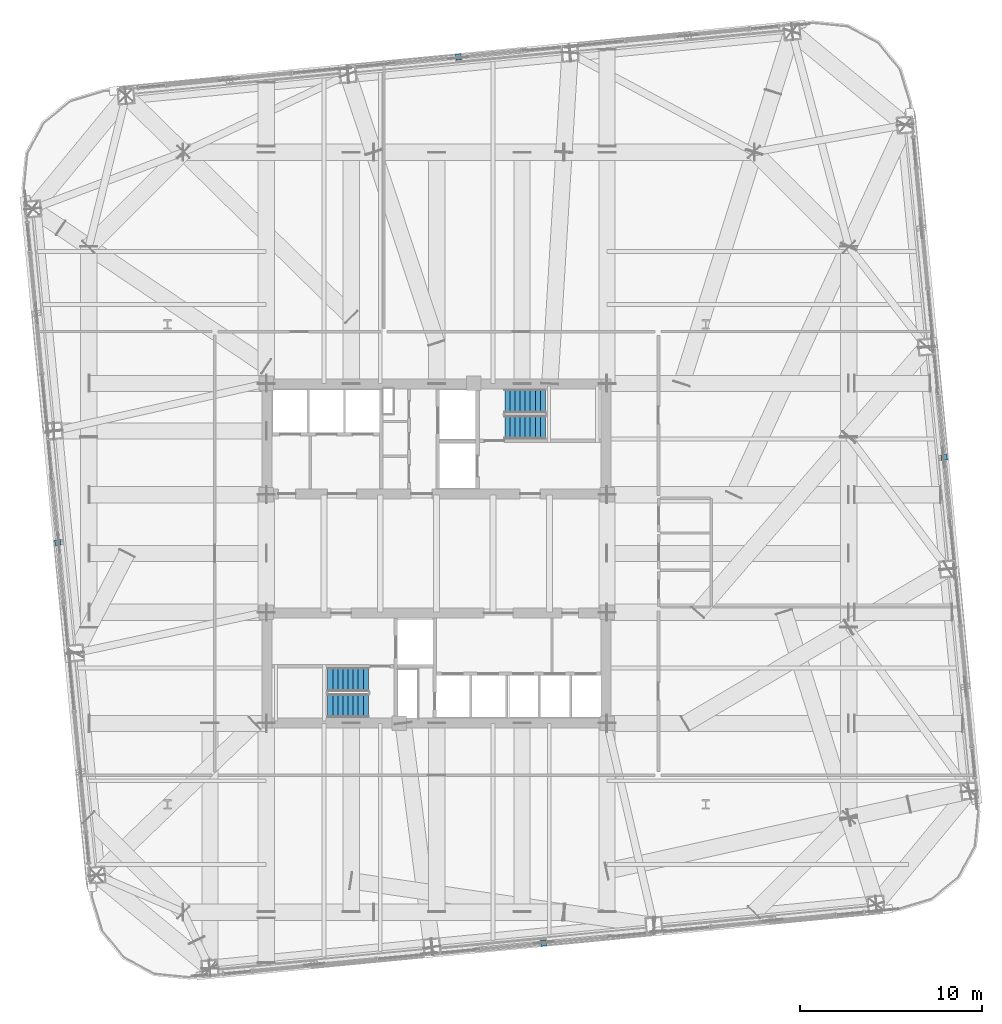
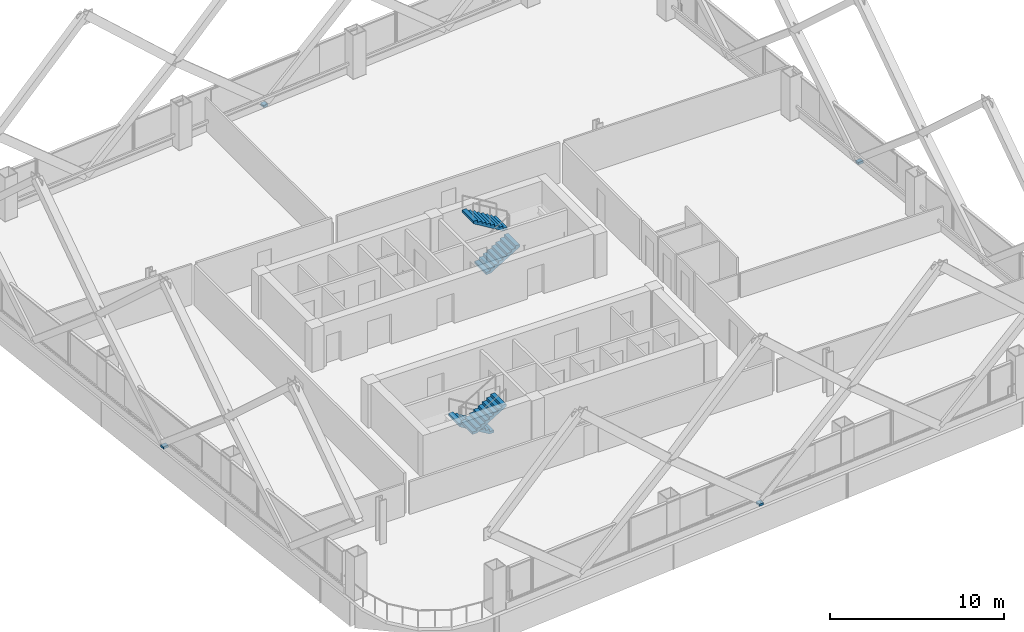
# One storey, part 39 of 42: 4 discrete accessories, 4 stair flights, 2 elements without a shape of their own.
"""IFC4 building model written with IfcOpenShell, lengths in metres."""

import ifcopenshell
import ifcopenshell.guid

model = None  # the IFC model being written
_history = None  # IfcOwnerHistory: only IFC2X3 demands one
_inside = {}  # id of a spatial element -> (the spatial element, [elements in it])
_under = {}  # id of a project, library or spatial element -> (it, [spatial elements below it])
_declared = {}  # id of a project -> (the project, [libraries it declares])
_typed = {}  # id of a type object -> (the type object, [elements of that type])
_made_of = {}  # id of a material, layer set ... -> (it, [elements and type objects made of it])


def new_model(schema):
    """Start an empty IFC model of exactly this schema.

    Asked for "IFC4X3", IfcOpenShell would pick the latest addendum, in which some entities
    have other attributes; the version numbers below select the first issue.
    IFC2X3 requires an IfcOwnerHistory on every rooted entity: one is made here for all.
    """
    global model, _history
    if schema == "IFC4X3":
        model = ifcopenshell.file(schema_version=(4, 3, 0, 0))
    else:
        model = ifcopenshell.file(schema=schema)
    _inside.clear()
    _under.clear()
    _declared.clear()
    _typed.clear()
    _made_of.clear()
    _history = None
    if model.schema == "IFC2X3":
        org = make("IfcOrganization", Name="unknown")
        user = make(
            "IfcPersonAndOrganization",
            ThePerson=make("IfcPerson", FamilyName="unknown"),
            TheOrganization=org,
        )
        app = make(
            "IfcApplication",
            ApplicationDeveloper=org,
            Version="unknown",
            ApplicationFullName="unknown",
            ApplicationIdentifier="unknown",
        )
        _history = make(
            "IfcOwnerHistory",
            OwningUser=user,
            OwningApplication=app,
            ChangeAction="ADDED",
            CreationDate=0,
        )
    return model


def make(cls, **values):
    """One entity of the class cls with the attributes given. An attribute that is None is left unset."""
    return model.create_entity(
        cls, **{name: value for name, value in values.items() if value is not None}
    )


def rooted(cls, **values):
    """An entity with a GlobalId (a new one), such as an element, a storey or a relation."""
    return make(cls, GlobalId=ifcopenshell.guid.new(), OwnerHistory=_history, **values)


def si_unit(unit_type, name, prefix=None):
    """IfcSIUnit, for example si_unit("LENGTHUNIT", "METRE", prefix="MILLI")."""
    return make("IfcSIUnit", UnitType=unit_type, Prefix=prefix, Name=name)


def assignment(units):
    """IfcUnitAssignment: the units of a project."""
    return None if units is None else make("IfcUnitAssignment", Units=units)


def point(xyz):
    """IfcCartesianPoint."""
    return None if xyz is None else make("IfcCartesianPoint", Coordinates=xyz)


def direction(xyz):
    """IfcDirection."""
    return None if xyz is None else make("IfcDirection", DirectionRatios=xyz)


def frame(location, z_axis=None, x_axis=None):
    """IfcAxis2Placement3D, a coordinate frame: its origin and axes. An axis left out is left unset."""
    return make(
        "IfcAxis2Placement3D",
        Location=point(location),
        Axis=direction(z_axis),
        RefDirection=direction(x_axis),
    )


def frame_2d(location, x_axis=None):
    """IfcAxis2Placement2D, a coordinate frame in the plane: its origin and x axis."""
    return make(
        "IfcAxis2Placement2D", Location=point(location), RefDirection=direction(x_axis)
    )


def origin():
    """The frame at (0, 0, 0) with its axes left unset."""
    return frame((0.0, 0.0, 0.0))


def origin_2d():
    """The frame at (0, 0) in the plane with its x axis left unset."""
    return frame_2d((0.0, 0.0))


def place(relative_to, where):
    """IfcLocalPlacement: puts the frame where relative to a parent placement (None: the world)."""
    return make(
        "IfcLocalPlacement", PlacementRelTo=relative_to, RelativePlacement=where
    )


def context(
    kind, dimensions, precision=None, world=None, true_north=None, identifier=None
):
    """IfcGeometricRepresentationContext, for example the 3D "Model" context."""
    return make(
        "IfcGeometricRepresentationContext",
        ContextIdentifier=identifier,
        ContextType=kind,
        CoordinateSpaceDimension=dimensions,
        Precision=precision,
        WorldCoordinateSystem=world,
        TrueNorth=true_north,
    )


def subcontext(parent, identifier, kind, view, scale=None):
    """IfcGeometricRepresentationSubContext, for example "Body" below "Model"."""
    return make(
        "IfcGeometricRepresentationSubContext",
        ContextIdentifier=identifier,
        ContextType=kind,
        ParentContext=parent,
        TargetScale=scale,
        TargetView=view,
    )


def project(units=None, contexts=None):
    """IfcProject with its units and contexts."""
    return rooted(
        "IfcProject",
        Name="project",
        RepresentationContexts=contexts,
        UnitsInContext=assignment(units),
    )


def spatial(cls, under=None, at=None, **own):
    """A site, building, storey or space (cls), placed at a placement, below another one or the project."""
    s = rooted(cls, ObjectPlacement=at, **own)
    if under is not None:
        _under.setdefault(under.id(), (under, []))[1].append(s)
    return s


def polyline(points):
    """IfcPolyline through the points."""
    return make("IfcPolyline", Points=[point(p) for p in points])


def profile(cls, at=None, kind="AREA", **sizes):
    """A parametric profile (cls). Its sizes go by their IFC names, for example OverallWidth=200.0."""
    return make(cls, ProfileType=kind, Position=at, **sizes)


def rectangle(**sizes):
    """IfcRectangleProfileDef."""
    return profile("IfcRectangleProfileDef", **sizes)


def outline(outer, holes=None, kind="AREA"):
    """IfcArbitraryClosedProfileDef: a profile drawn as a closed curve; with holes, ...WithVoids."""
    if holes is None:
        return make("IfcArbitraryClosedProfileDef", ProfileType=kind, OuterCurve=outer)
    return make(
        "IfcArbitraryProfileDefWithVoids",
        ProfileType=kind,
        OuterCurve=outer,
        InnerCurves=holes,
    )


def extrude(swept, where, along, depth):
    """IfcExtrudedAreaSolid: the profile swept, set in the frame where, extruded along a direction by depth."""
    return make(
        "IfcExtrudedAreaSolid",
        SweptArea=swept,
        Position=where,
        ExtrudedDirection=direction(along),
        Depth=depth,
    )


def shape(context_of_items, identifier, shape_type, items):
    """IfcShapeRepresentation: the items that make up one representation, for example the "Body"."""
    return make(
        "IfcShapeRepresentation",
        ContextOfItems=context_of_items,
        RepresentationIdentifier=identifier,
        RepresentationType=shape_type,
        Items=items,
    )


def material(Name=None, Category=None):
    """IfcMaterial."""
    return make("IfcMaterial", Name=Name, Category=Category)


def made_of(thing, what):
    """Note that an element or type object is made of a material, layer set ...; save() writes the relation."""
    if what is not None:
        _made_of.setdefault(what.id(), (what, []))[1].append(thing)
    return thing


def type_object(cls, material=None, **own):
    """A type object (cls), such as IfcWallType, which elements share."""
    return made_of(rooted(cls, **own), material)


def element(
    cls,
    number,
    at=None,
    inside=None,
    cuts=None,
    type_object=None,
    material=None,
    context=None,
    identifier="Body",
    shape_type=None,
    held_by="IfcProductDefinitionShape",
    body=None,
    shapes=None,
    **own,
):
    """One element of the class cls, such as IfcWall. Its Tag is "e" and its number.

    at: its placement. inside: the storey or other place that contains it. cuts: it is an
    opening in that element (IfcRelVoidsElement). A single representation is given by context,
    identifier, shape_type and body (its items); several are given by shapes. held_by: the class
    of the entity that holds the representations. save() writes the other relations.
    """
    e = rooted(cls, Tag="e%d" % number, ObjectPlacement=at, **own)
    if body is not None:
        shapes = [shape(context, identifier, shape_type, body)]
    if shapes is not None:
        e.Representation = make(held_by, Representations=shapes)
    if inside is not None:
        _inside.setdefault(inside.id(), (inside, []))[1].append(e)
    if cuts is not None:
        rooted(
            "IfcRelVoidsElement", RelatingBuildingElement=cuts, RelatedOpeningElement=e
        )
    if type_object is not None:
        _typed.setdefault(type_object.id(), (type_object, []))[1].append(e)
    return made_of(e, material)


def aggregate(whole, parts):
    """IfcRelAggregates: a whole, such as a stair, and the parts it consists of."""
    return rooted("IfcRelAggregates", RelatingObject=whole, RelatedObjects=parts)


def save(model, path):
    """Write the relations noted so far, then the file.

    IfcRelAggregates (storeys below a building ...), IfcRelContainedInSpatialStructure (elements
    in a storey), IfcRelDefinesByType, IfcRelAssociatesMaterial and IfcRelDeclares: one each for
    every whole, place, type object, material and project.
    """
    for whole, parts in _under.values():
        aggregate(whole, parts)
    for where, things in _inside.values():
        rooted(
            "IfcRelContainedInSpatialStructure",
            RelatedElements=things,
            RelatingStructure=where,
        )
    for kind, things in _typed.values():
        rooted("IfcRelDefinesByType", RelatedObjects=things, RelatingType=kind)
    for what, things in _made_of.values():
        rooted("IfcRelAssociatesMaterial", RelatedObjects=things, RelatingMaterial=what)
    for by, libraries in _declared.values():
        rooted("IfcRelDeclares", RelatingContext=by, RelatedDefinitions=libraries)
    model.write(path)


model = new_model("IFC4")

# Units and contexts
model_context = context("Model", 3, precision=1e-05, world=origin(), true_north=direction((0.0, 1.0)))
body_context = subcontext(model_context, "Body", "Model", "MODEL_VIEW")
ifc_project = project(units=[si_unit("LENGTHUNIT", "METRE"), si_unit("AREAUNIT", "SQUARE_METRE"), si_unit("VOLUMEUNIT", "CUBIC_METRE"), si_unit("PLANEANGLEUNIT", "RADIAN"), si_unit("MASSUNIT", "GRAM", prefix="KILO")], contexts=[model_context])

# Site, building, storey
site_placement = place(None, origin())
site = spatial("IfcSite", under=ifc_project, at=site_placement, CompositionType="ELEMENT")
building_placement = place(site_placement, origin())
building = spatial("IfcBuilding", under=site, at=building_placement, Name="Qhalaya Broadcast Tower", CompositionType="ELEMENT")
storey_placement = place(building_placement, frame((0.0, 0.0, 69.449951171875)))
storey = spatial("IfcBuildingStorey", under=building, at=storey_placement, Name="L19", CompositionType="ELEMENT", Elevation=69.449951171875)

# Stair, stair flights
ifc_material_1 = material(Name="Concrete C40/50", Category="concrete")
stair_type = type_object("IfcStairType", Name="Protected Dogleg Core Stair 3150", PredefinedType="TWO_STRAIGHT_RUN_STAIR", material=ifc_material_1)
stair_1_placement = place(storey_placement, origin())
stair_1 = element("IfcStair", 1, at=stair_1_placement, inside=storey, type_object=stair_type, Name="L19 North Core Exit Stair ST-1", PredefinedType="TWO_STRAIGHT_RUN_STAIR")
ifc_material_2 = material(Name="Precast Concrete C40/50", Category="concrete")
stair_flight_type = type_object("IfcStairFlightType", Name="Precast Concrete Stair Flight 3150", PredefinedType="STRAIGHT", material=ifc_material_2)
stair_flight_1_placement = place(storey_placement, frame((3.75, 7.5400390625, 0.0), z_axis=(0.0, 0.0, 1.0), x_axis=(1.0, 0.0, 0.0)))
stair_flight_1 = element("IfcStairFlight", 2, at=stair_flight_1_placement, type_object=stair_flight_type, Name="ST-1 flight 1", NumberOfRisers=9, NumberOfTreads=8, PredefinedType="STRAIGHT", RiserHeight=0.169444444, TreadLength=0.28, context=body_context, shape_type="SweptSolid", body=[
    extrude(outline(polyline([(0.0, 0.0), (0.0, 0.16943359375), (0.280029296875, 0.16943359375), (0.280029296875, 0.3388671875), (0.56005859375, 0.3388671875), (0.56005859375, 0.50830078125), (0.840087890625, 0.50830078125), (0.840087890625, 0.677734375), (1.1201171875, 0.677734375), (1.1201171875, 0.84716796875), (1.39990234375, 0.84716796875), (1.39990234375, 1.0166015625), (1.679931640625, 1.0166015625), (1.679931640625, 1.18603515625), (1.9599609375, 1.18603515625), (1.9599609375, 1.35546875), (2.239990234375, 1.35546875), (2.239990234375, 1.52490234375), (2.239990234375, 1.180419921875), (0.28955078125, 0.0), (0.0, 0.0)])), frame((0.0, 0.66015625, 0.0), z_axis=(0.0, -1.0, 0.0), x_axis=(1.0, 0.0, 0.0)), (0.0, 0.0, 1.0), 1.320068359375),
])
stair_flight_2_placement = place(storey_placement, frame((5.989990234375, 8.97998046875, 1.525146484375), z_axis=(0.0, 0.0, 1.0), x_axis=(-1.0, 0.0, 0.0)))
stair_flight_2 = element("IfcStairFlight", 3, at=stair_flight_2_placement, type_object=stair_flight_type, Name="ST-1 flight 2", NumberOfRisers=9, NumberOfTreads=8, PredefinedType="STRAIGHT", RiserHeight=0.169444444, TreadLength=0.28, context=body_context, shape_type="SweptSolid", body=[
    extrude(outline(polyline([(0.0, 0.0), (0.0, 0.16943359375), (0.280029296875, 0.16943359375), (0.280029296875, 0.3388671875), (0.56005859375, 0.3388671875), (0.56005859375, 0.50830078125), (0.840087890625, 0.50830078125), (0.840087890625, 0.677734375), (1.1201171875, 0.677734375), (1.1201171875, 0.84716796875), (1.39990234375, 0.84716796875), (1.39990234375, 1.0166015625), (1.679931640625, 1.0166015625), (1.679931640625, 1.18603515625), (1.9599609375, 1.18603515625), (1.9599609375, 1.35546875), (2.239990234375, 1.35546875), (2.239990234375, 1.52490234375), (2.239990234375, 1.180419921875), (0.28955078125, 0.0), (0.0, 0.0)])), frame((0.0, 0.66015625, 0.0), z_axis=(0.0, -1.0, 0.0), x_axis=(1.0, 0.0, 0.0)), (0.0, 0.0, 1.0), 1.320068359375),
])
aggregate(stair_1, [stair_flight_1, stair_flight_2])

stair_2_placement = place(storey_placement, origin())
stair_2 = element("IfcStair", 4, at=stair_2_placement, inside=storey, type_object=stair_type, Name="L19 South Core Exit Stair ST-2", PredefinedType="TWO_STRAIGHT_RUN_STAIR")
stair_flight_3_placement = place(storey_placement, frame((-3.75, -6.340087890625, 0.0), z_axis=(0.0, 0.0, 1.0), x_axis=(-1.0, 0.0, 0.0)))
stair_flight_3 = element("IfcStairFlight", 5, at=stair_flight_3_placement, type_object=stair_flight_type, Name="ST-2 flight 1", NumberOfRisers=9, NumberOfTreads=8, PredefinedType="STRAIGHT", RiserHeight=0.169444444, TreadLength=0.28, context=body_context, shape_type="SweptSolid", body=[
    extrude(outline(polyline([(0.0, 0.0), (0.0, 0.16943359375), (0.280029296875, 0.16943359375), (0.280029296875, 0.3388671875), (0.56005859375, 0.3388671875), (0.56005859375, 0.50830078125), (0.840087890625, 0.50830078125), (0.840087890625, 0.677734375), (1.1201171875, 0.677734375), (1.1201171875, 0.84716796875), (1.39990234375, 0.84716796875), (1.39990234375, 1.0166015625), (1.679931640625, 1.0166015625), (1.679931640625, 1.18603515625), (1.9599609375, 1.18603515625), (1.9599609375, 1.35546875), (2.239990234375, 1.35546875), (2.239990234375, 1.52490234375), (2.239990234375, 1.180419921875), (0.28955078125, 0.0), (0.0, 0.0)])), frame((0.0, 0.66015625, 0.0), z_axis=(0.0, -1.0, 0.0), x_axis=(1.0, 0.0, 0.0)), (0.0, 0.0, 1.0), 1.320068359375),
])
stair_flight_4_placement = place(storey_placement, frame((-5.989990234375, -7.780029296875, 1.525146484375), z_axis=(0.0, 0.0, 1.0), x_axis=(1.0, 0.0, 0.0)))
stair_flight_4 = element("IfcStairFlight", 6, at=stair_flight_4_placement, type_object=stair_flight_type, Name="ST-2 flight 2", NumberOfRisers=9, NumberOfTreads=8, PredefinedType="STRAIGHT", RiserHeight=0.169444444, TreadLength=0.28, context=body_context, shape_type="SweptSolid", body=[
    extrude(outline(polyline([(0.0, 0.0), (0.0, 0.16943359375), (0.280029296875, 0.16943359375), (0.280029296875, 0.3388671875), (0.56005859375, 0.3388671875), (0.56005859375, 0.50830078125), (0.840087890625, 0.50830078125), (0.840087890625, 0.677734375), (1.1201171875, 0.677734375), (1.1201171875, 0.84716796875), (1.39990234375, 0.84716796875), (1.39990234375, 1.0166015625), (1.679931640625, 1.0166015625), (1.679931640625, 1.18603515625), (1.9599609375, 1.18603515625), (1.9599609375, 1.35546875), (2.239990234375, 1.35546875), (2.239990234375, 1.52490234375), (2.239990234375, 1.180419921875), (0.28955078125, 0.0), (0.0, 0.0)])), frame((0.0, 0.66015625, 0.0), z_axis=(0.0, -1.0, 0.0), x_axis=(1.0, 0.0, 0.0)), (0.0, 0.0, 1.0), 1.320068359375),
])
aggregate(stair_2, [stair_flight_3, stair_flight_4])

# Discrete accessories
ifc_material_3 = material(Name="Structural Steel ASTM A572 Grade 50", Category="steel")
discrete_accessory_type = type_object("IfcDiscreteAccessoryType", Name="Facade Baguette Support Bracket BRK-01", PredefinedType="BRACKET", material=ifc_material_3)
for number, where, z_axis, x_axis, name in (
    (7, (5.88623046875, -20.827392578125, 0.0), (0.0, 0.0, 1.0), (0.995396198367, 0.09584575252, 0.0), "L19 Baguette Support Bracket S"),
    (8, (27.9072265625, 5.88623046875, 0.0), (0.0, 0.0, 1.0), (-0.09584575252, 0.995396198367, 0.0), "L19 Baguette Support Bracket E"),
    (9, (1.193603515625, 27.9072265625, 0.0), (0.0, 0.0, 1.0), (-0.995396198367, -0.09584575252, 0.0), "L19 Baguette Support Bracket N"),
    (10, (-20.827392578125, 1.193603515625, 0.0), (0.0, 0.0, 1.0), (0.09584575252, -0.995396198367, 0.0), "L19 Baguette Support Bracket W"),
):
    element("IfcDiscreteAccessory", number, at=place(storey_placement, frame(where, z_axis=z_axis, x_axis=x_axis)), inside=storey, type_object=discrete_accessory_type, Name=name, PredefinedType="BRACKET", context=body_context, shape_type="SweptSolid", body=[
        extrude(rectangle(XDim=0.300048828125, YDim=0.340087890625, at=origin_2d()), origin(), (0.0, 0.0, 1.0), 0.159912109375),
    ])

save(model, "model.ifc")
